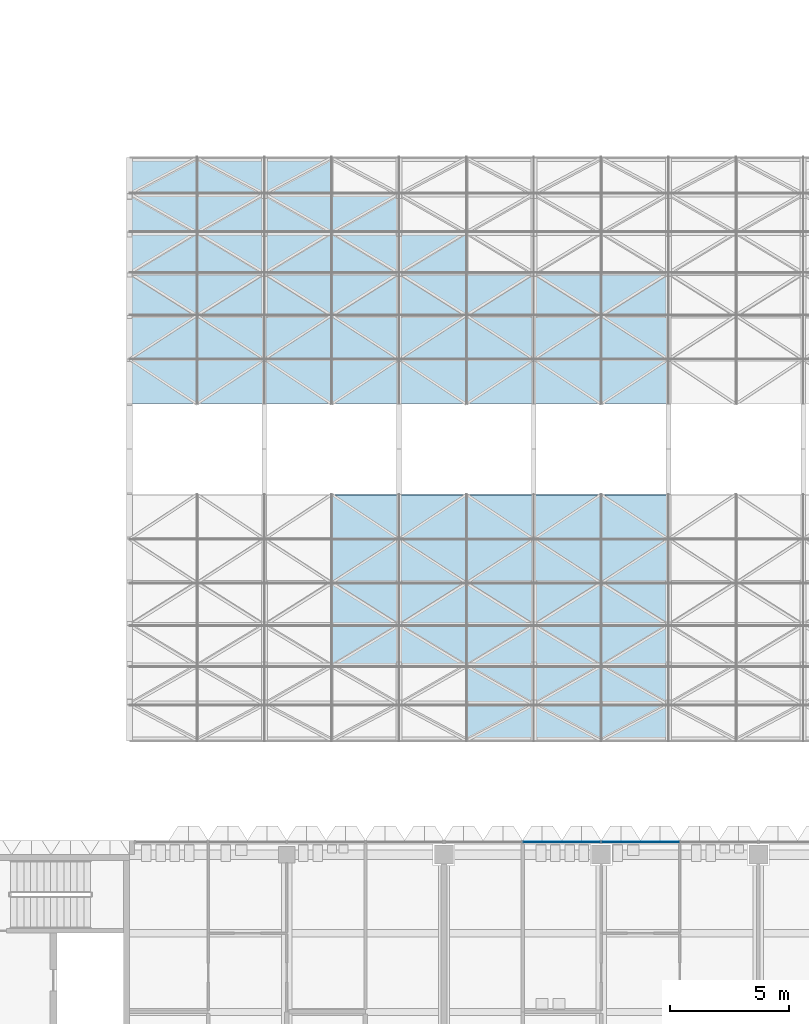
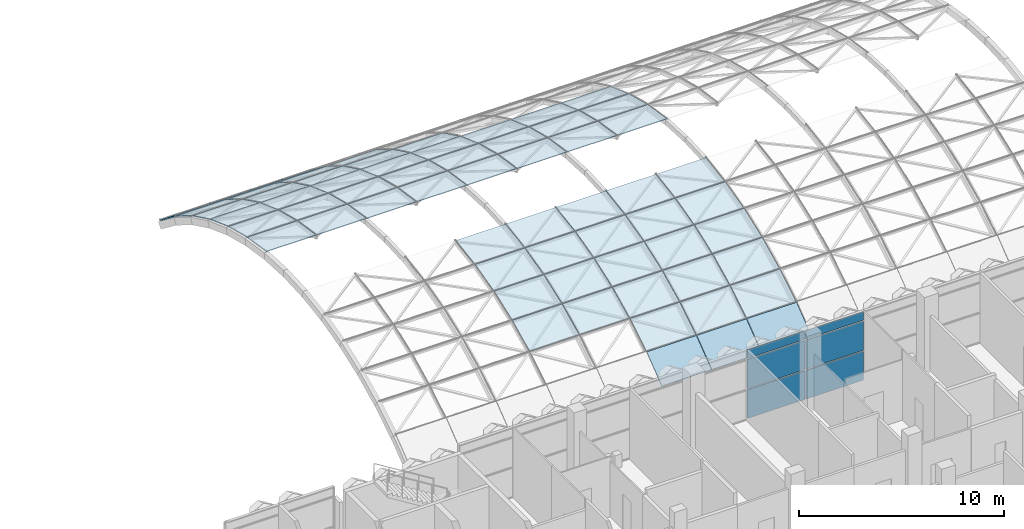
# One storey, part 21 of 85: 68 plates, 1 element without a shape of its own.
"""IFC4 building model written with IfcOpenShell, lengths in metres."""

import ifcopenshell
import ifcopenshell.guid

model = None  # the IFC model being written
_history = None  # IfcOwnerHistory: only IFC2X3 demands one
_inside = {}  # id of a spatial element -> (the spatial element, [elements in it])
_under = {}  # id of a project, library or spatial element -> (it, [spatial elements below it])
_declared = {}  # id of a project -> (the project, [libraries it declares])
_typed = {}  # id of a type object -> (the type object, [elements of that type])
_made_of = {}  # id of a material, layer set ... -> (it, [elements and type objects made of it])


def new_model(schema):
    """Start an empty IFC model of exactly this schema.

    Asked for "IFC4X3", IfcOpenShell would pick the latest addendum, in which some entities
    have other attributes; the version numbers below select the first issue.
    IFC2X3 requires an IfcOwnerHistory on every rooted entity: one is made here for all.
    """
    global model, _history
    if schema == "IFC4X3":
        model = ifcopenshell.file(schema_version=(4, 3, 0, 0))
    else:
        model = ifcopenshell.file(schema=schema)
    _inside.clear()
    _under.clear()
    _declared.clear()
    _typed.clear()
    _made_of.clear()
    _history = None
    if model.schema == "IFC2X3":
        org = make("IfcOrganization", Name="unknown")
        user = make(
            "IfcPersonAndOrganization",
            ThePerson=make("IfcPerson", FamilyName="unknown"),
            TheOrganization=org,
        )
        app = make(
            "IfcApplication",
            ApplicationDeveloper=org,
            Version="unknown",
            ApplicationFullName="unknown",
            ApplicationIdentifier="unknown",
        )
        _history = make(
            "IfcOwnerHistory",
            OwningUser=user,
            OwningApplication=app,
            ChangeAction="ADDED",
            CreationDate=0,
        )
    return model


def make(cls, **values):
    """One entity of the class cls with the attributes given. An attribute that is None is left unset."""
    return model.create_entity(
        cls, **{name: value for name, value in values.items() if value is not None}
    )


def rooted(cls, **values):
    """An entity with a GlobalId (a new one), such as an element, a storey or a relation."""
    return make(cls, GlobalId=ifcopenshell.guid.new(), OwnerHistory=_history, **values)


def si_unit(unit_type, name, prefix=None):
    """IfcSIUnit, for example si_unit("LENGTHUNIT", "METRE", prefix="MILLI")."""
    return make("IfcSIUnit", UnitType=unit_type, Prefix=prefix, Name=name)


def assignment(units):
    """IfcUnitAssignment: the units of a project."""
    return None if units is None else make("IfcUnitAssignment", Units=units)


def point(xyz):
    """IfcCartesianPoint."""
    return None if xyz is None else make("IfcCartesianPoint", Coordinates=xyz)


def direction(xyz):
    """IfcDirection."""
    return None if xyz is None else make("IfcDirection", DirectionRatios=xyz)


def frame(location, z_axis=None, x_axis=None):
    """IfcAxis2Placement3D, a coordinate frame: its origin and axes. An axis left out is left unset."""
    return make(
        "IfcAxis2Placement3D",
        Location=point(location),
        Axis=direction(z_axis),
        RefDirection=direction(x_axis),
    )


def frame_2d(location, x_axis=None):
    """IfcAxis2Placement2D, a coordinate frame in the plane: its origin and x axis."""
    return make(
        "IfcAxis2Placement2D", Location=point(location), RefDirection=direction(x_axis)
    )


def origin():
    """The frame at (0, 0, 0) with its axes left unset."""
    return frame((0.0, 0.0, 0.0))


def origin_2d():
    """The frame at (0, 0) in the plane with its x axis left unset."""
    return frame_2d((0.0, 0.0))


def place(relative_to, where):
    """IfcLocalPlacement: puts the frame where relative to a parent placement (None: the world)."""
    return make(
        "IfcLocalPlacement", PlacementRelTo=relative_to, RelativePlacement=where
    )


def context(
    kind, dimensions, precision=None, world=None, true_north=None, identifier=None
):
    """IfcGeometricRepresentationContext, for example the 3D "Model" context."""
    return make(
        "IfcGeometricRepresentationContext",
        ContextIdentifier=identifier,
        ContextType=kind,
        CoordinateSpaceDimension=dimensions,
        Precision=precision,
        WorldCoordinateSystem=world,
        TrueNorth=true_north,
    )


def subcontext(parent, identifier, kind, view, scale=None):
    """IfcGeometricRepresentationSubContext, for example "Body" below "Model"."""
    return make(
        "IfcGeometricRepresentationSubContext",
        ContextIdentifier=identifier,
        ContextType=kind,
        ParentContext=parent,
        TargetScale=scale,
        TargetView=view,
    )


def project(units=None, contexts=None):
    """IfcProject with its units and contexts."""
    return rooted(
        "IfcProject",
        Name="project",
        RepresentationContexts=contexts,
        UnitsInContext=assignment(units),
    )


def spatial(cls, under=None, at=None, **own):
    """A site, building, storey or space (cls), placed at a placement, below another one or the project."""
    s = rooted(cls, ObjectPlacement=at, **own)
    if under is not None:
        _under.setdefault(under.id(), (under, []))[1].append(s)
    return s


def polyline(points):
    """IfcPolyline through the points."""
    return make("IfcPolyline", Points=[point(p) for p in points])


def profile(cls, at=None, kind="AREA", **sizes):
    """A parametric profile (cls). Its sizes go by their IFC names, for example OverallWidth=200.0."""
    return make(cls, ProfileType=kind, Position=at, **sizes)


def rectangle(**sizes):
    """IfcRectangleProfileDef."""
    return profile("IfcRectangleProfileDef", **sizes)


def outline(outer, holes=None, kind="AREA"):
    """IfcArbitraryClosedProfileDef: a profile drawn as a closed curve; with holes, ...WithVoids."""
    if holes is None:
        return make("IfcArbitraryClosedProfileDef", ProfileType=kind, OuterCurve=outer)
    return make(
        "IfcArbitraryProfileDefWithVoids",
        ProfileType=kind,
        OuterCurve=outer,
        InnerCurves=holes,
    )


def extrude(swept, where, along, depth):
    """IfcExtrudedAreaSolid: the profile swept, set in the frame where, extruded along a direction by depth."""
    return make(
        "IfcExtrudedAreaSolid",
        SweptArea=swept,
        Position=where,
        ExtrudedDirection=direction(along),
        Depth=depth,
    )


def shape(context_of_items, identifier, shape_type, items):
    """IfcShapeRepresentation: the items that make up one representation, for example the "Body"."""
    return make(
        "IfcShapeRepresentation",
        ContextOfItems=context_of_items,
        RepresentationIdentifier=identifier,
        RepresentationType=shape_type,
        Items=items,
    )


def material(Name=None, Category=None):
    """IfcMaterial."""
    return make("IfcMaterial", Name=Name, Category=Category)


def layer(
    of_material, thickness, ventilated=None, Name=None, Category=None, Priority=None
):
    """IfcMaterialLayer: one layer of a wall or slab, of a material (None: an air gap)."""
    return make(
        "IfcMaterialLayer",
        Material=of_material,
        LayerThickness=thickness,
        IsVentilated=ventilated,
        Name=Name,
        Category=Category,
        Priority=Priority,
    )


def layer_set(layers, Name=None):
    """IfcMaterialLayerSet."""
    return make("IfcMaterialLayerSet", MaterialLayers=layers, LayerSetName=Name)


def made_of(thing, what):
    """Note that an element or type object is made of a material, layer set ...; save() writes the relation."""
    if what is not None:
        _made_of.setdefault(what.id(), (what, []))[1].append(thing)
    return thing


def type_object(cls, material=None, **own):
    """A type object (cls), such as IfcWallType, which elements share."""
    return made_of(rooted(cls, **own), material)


def element(
    cls,
    number,
    at=None,
    inside=None,
    cuts=None,
    type_object=None,
    material=None,
    context=None,
    identifier="Body",
    shape_type=None,
    held_by="IfcProductDefinitionShape",
    body=None,
    shapes=None,
    **own,
):
    """One element of the class cls, such as IfcWall. Its Tag is "e" and its number.

    at: its placement. inside: the storey or other place that contains it. cuts: it is an
    opening in that element (IfcRelVoidsElement). A single representation is given by context,
    identifier, shape_type and body (its items); several are given by shapes. held_by: the class
    of the entity that holds the representations. save() writes the other relations.
    """
    e = rooted(cls, Tag="e%d" % number, ObjectPlacement=at, **own)
    if body is not None:
        shapes = [shape(context, identifier, shape_type, body)]
    if shapes is not None:
        e.Representation = make(held_by, Representations=shapes)
    if inside is not None:
        _inside.setdefault(inside.id(), (inside, []))[1].append(e)
    if cuts is not None:
        rooted(
            "IfcRelVoidsElement", RelatingBuildingElement=cuts, RelatedOpeningElement=e
        )
    if type_object is not None:
        _typed.setdefault(type_object.id(), (type_object, []))[1].append(e)
    return made_of(e, material)


def aggregate(whole, parts):
    """IfcRelAggregates: a whole, such as a stair, and the parts it consists of."""
    return rooted("IfcRelAggregates", RelatingObject=whole, RelatedObjects=parts)


def save(model, path):
    """Write the relations noted so far, then the file.

    IfcRelAggregates (storeys below a building ...), IfcRelContainedInSpatialStructure (elements
    in a storey), IfcRelDefinesByType, IfcRelAssociatesMaterial and IfcRelDeclares: one each for
    every whole, place, type object, material and project.
    """
    for whole, parts in _under.values():
        aggregate(whole, parts)
    for where, things in _inside.values():
        rooted(
            "IfcRelContainedInSpatialStructure",
            RelatedElements=things,
            RelatingStructure=where,
        )
    for kind, things in _typed.values():
        rooted("IfcRelDefinesByType", RelatedObjects=things, RelatingType=kind)
    for what, things in _made_of.values():
        rooted("IfcRelAssociatesMaterial", RelatedObjects=things, RelatingMaterial=what)
    for by, libraries in _declared.values():
        rooted("IfcRelDeclares", RelatingContext=by, RelatedDefinitions=libraries)
    model.write(path)


model = new_model("IFC4")

# Units and contexts
model_context = context("Model", 3, precision=1e-05, world=origin(), true_north=direction((0.0, 1.0)))
body_context = subcontext(model_context, "Body", "Model", "MODEL_VIEW")
ifc_project = project(units=[si_unit("LENGTHUNIT", "METRE"), si_unit("AREAUNIT", "SQUARE_METRE"), si_unit("VOLUMEUNIT", "CUBIC_METRE"), si_unit("PLANEANGLEUNIT", "RADIAN"), si_unit("MASSUNIT", "GRAM", prefix="KILO")], contexts=[model_context])

# Site, building, storey
site_placement = place(None, origin())
site = spatial("IfcSite", under=ifc_project, at=site_placement, CompositionType="ELEMENT")
building_placement = place(site_placement, origin())
building = spatial("IfcBuilding", under=site, at=building_placement, Name="Lantern Court Research Institute", CompositionType="ELEMENT")
storey_placement = place(building_placement, frame((0.0, 0.0, 18.89990234375)))
storey = spatial("IfcBuildingStorey", under=building, at=storey_placement, Name="L04", CompositionType="ELEMENT", Elevation=18.89990234375)

# Plates
ifc_material_1 = material(Name="Laminated low-emissivity glass", Category="glass")
ifc_layer_1 = layer(ifc_material_1, 0.035888671875)
ifc_layer_set_1 = layer_set([ifc_layer_1], Name="Laminated low-emissivity glass")
plate_type_1 = type_object("IfcPlateType", Name="Gridshell roof glazing panel 36", PredefinedType="SHEET", material=ifc_layer_set_1)
plate_1_placement = place(storey_placement, frame((42.41845703125, 42.04052734375, 4.638427734375), z_axis=(0.0, 0.150477827795, 0.988613384161), x_axis=(-1.0, 0.0, 0.0)))
element("IfcPlate", 1, at=plate_1_placement, inside=storey, type_object=plate_type_1, Name="Roof glazing panel", PredefinedType="SHEET", context=body_context, shape_type="SweptSolid", body=[
    extrude(outline(polyline([(0.0, 0.0), (2.808349609375, 0.0), (2.808349609375, -1.8820256056964206), (0.0, -1.8820256056964206), (0.0, 0.0)])), origin(), (0.0, 0.0, -1.0), 0.035888671875),
])
plate_2_placement = place(storey_placement, frame((42.41845703125, 43.9248046875, 4.350341796875), z_axis=(0.0, 0.249093192145, 0.9684795205), x_axis=(-1.0, 0.0, 0.0)))
element("IfcPlate", 2, at=plate_2_placement, inside=storey, type_object=plate_type_1, Name="Roof glazing panel", PredefinedType="SHEET", context=body_context, shape_type="SweptSolid", body=[
    extrude(outline(polyline([(0.0, 0.0), (2.808349609375, 0.0), (2.808349609375, -1.881825817736193), (0.0, -1.881825817736193), (0.0, 0.0)])), origin(), (0.0, 0.0, -1.0), 0.035888671875),
])
plate_3_placement = place(storey_placement, frame((45.2470703125, 42.04052734375, 4.638427734375), z_axis=(0.0, 0.150477827795, 0.988613384161), x_axis=(-1.0, 0.0, 0.0)))
element("IfcPlate", 3, at=plate_3_placement, inside=storey, type_object=plate_type_1, Name="Roof glazing panel", PredefinedType="SHEET", context=body_context, shape_type="SweptSolid", body=[
    extrude(outline(polyline([(0.0, 0.0), (2.80859375, 0.0), (2.80859375, -1.8820256056964204), (0.0, -1.8820256056964204), (0.0, 0.0)])), origin(), (0.0, 0.0, -1.0), 0.035888671875),
])
plate_4_placement = place(storey_placement, frame((45.2470703125, 43.9248046875, 4.350341796875), z_axis=(0.0, 0.249093192145, 0.9684795205), x_axis=(-1.0, 0.0, 0.0)))
element("IfcPlate", 4, at=plate_4_placement, inside=storey, type_object=plate_type_1, Name="Roof glazing panel", PredefinedType="SHEET", context=body_context, shape_type="SweptSolid", body=[
    extrude(outline(polyline([(0.0, 0.0), (2.80859375, 0.0), (2.80859375, -1.8818258177361935), (0.0, -1.8818258177361935), (0.0, 0.0)])), origin(), (0.0, 0.0, -1.0), 0.035888671875),
])
plate_5_placement = place(storey_placement, frame((48.07568359375, 42.04052734375, 4.638427734375), z_axis=(0.0, 0.150477827795, 0.988613384161), x_axis=(-1.0, 0.0, 0.0)))
element("IfcPlate", 5, at=plate_5_placement, inside=storey, type_object=plate_type_1, Name="Roof glazing panel", PredefinedType="SHEET", context=body_context, shape_type="SweptSolid", body=[
    extrude(outline(polyline([(0.0, 0.0), (2.80859375, 0.0), (2.80859375, -1.8820256056964204), (0.0, -1.8820256056964204), (0.0, 0.0)])), origin(), (0.0, 0.0, -1.0), 0.035888671875),
])
for number, where, z_axis, x_axis, name in (
    (6, (48.07568359375, 43.9248046875, 4.350341796875), (0.0, 0.249093192145, 0.9684795205), (-1.0, 0.0, 0.0), "Roof glazing panel"),
    (7, (50.904296875, 34.502685546875, 3.881591796875), (0.0, -0.249093192145, 0.9684795205), (-1.0, 0.0, 0.0), "Roof glazing panel"),
):
    element("IfcPlate", number, at=place(storey_placement, frame(where, z_axis=z_axis, x_axis=x_axis)), inside=storey, type_object=plate_type_1, Name=name, PredefinedType="SHEET", context=body_context, shape_type="SweptSolid", body=[
        extrude(outline(polyline([(0.0, 0.0), (2.80859375, 0.0), (2.80859375, -1.8818258177361935), (0.0, -1.8818258177361935), (0.0, 0.0)])), origin(), (0.0, 0.0, -1.0), 0.035888671875),
    ])
for number, where, z_axis, x_axis, name in (
    (8, (50.904296875, 36.348876953125, 4.355224609375), (0.0, -0.150477827795, 0.988613384161), (-1.0, 0.0, 0.0), "Roof glazing panel"),
    (9, (50.904296875, 42.04052734375, 4.638427734375), (0.0, 0.150477827795, 0.988613384161), (-1.0, 0.0, 0.0), "Roof glazing panel"),
):
    element("IfcPlate", number, at=place(storey_placement, frame(where, z_axis=z_axis, x_axis=x_axis)), inside=storey, type_object=plate_type_1, Name=name, PredefinedType="SHEET", context=body_context, shape_type="SweptSolid", body=[
        extrude(outline(polyline([(0.0, 0.0), (2.80859375, 0.0), (2.80859375, -1.8820256056964204), (0.0, -1.8820256056964204), (0.0, 0.0)])), origin(), (0.0, 0.0, -1.0), 0.035888671875),
    ])
for number, where, z_axis, x_axis, name in (
    (10, (50.904296875, 43.9248046875, 4.350341796875), (0.0, 0.249093192145, 0.9684795205), (-1.0, 0.0, 0.0), "Roof glazing panel"),
    (11, (53.73291015625, 34.502685546875, 3.881591796875), (0.0, -0.249093192145, 0.9684795205), (-1.0, 0.0, 0.0), "Roof glazing panel"),
):
    element("IfcPlate", number, at=place(storey_placement, frame(where, z_axis=z_axis, x_axis=x_axis)), inside=storey, type_object=plate_type_1, Name=name, PredefinedType="SHEET", context=body_context, shape_type="SweptSolid", body=[
        extrude(outline(polyline([(0.0, 0.0), (2.80859375, 0.0), (2.80859375, -1.8818258177361935), (0.0, -1.8818258177361935), (0.0, 0.0)])), origin(), (0.0, 0.0, -1.0), 0.035888671875),
    ])
for number, where, z_axis, x_axis, name in (
    (12, (53.73291015625, 36.348876953125, 4.355224609375), (0.0, -0.150477827795, 0.988613384161), (-1.0, 0.0, 0.0), "Roof glazing panel"),
    (13, (53.73291015625, 42.04052734375, 4.638427734375), (0.0, 0.150477827795, 0.988613384161), (-1.0, 0.0, 0.0), "Roof glazing panel"),
):
    element("IfcPlate", number, at=place(storey_placement, frame(where, z_axis=z_axis, x_axis=x_axis)), inside=storey, type_object=plate_type_1, Name=name, PredefinedType="SHEET", context=body_context, shape_type="SweptSolid", body=[
        extrude(outline(polyline([(0.0, 0.0), (2.80859375, 0.0), (2.80859375, -1.8820256056964204), (0.0, -1.8820256056964204), (0.0, 0.0)])), origin(), (0.0, 0.0, -1.0), 0.035888671875),
    ])
for number, where, z_axis, x_axis, name in (
    (14, (53.73291015625, 43.9248046875, 4.350341796875), (0.0, 0.249093192145, 0.9684795205), (-1.0, 0.0, 0.0), "Roof glazing panel"),
    (15, (56.5615234375, 34.502685546875, 3.881591796875), (0.0, -0.249093192145, 0.9684795205), (-1.0, 0.0, 0.0), "Roof glazing panel"),
):
    element("IfcPlate", number, at=place(storey_placement, frame(where, z_axis=z_axis, x_axis=x_axis)), inside=storey, type_object=plate_type_1, Name=name, PredefinedType="SHEET", context=body_context, shape_type="SweptSolid", body=[
        extrude(outline(polyline([(0.0, 0.0), (2.80859375, 0.0), (2.80859375, -1.8818258177361935), (0.0, -1.8818258177361935), (0.0, 0.0)])), origin(), (0.0, 0.0, -1.0), 0.035888671875),
    ])
for number, where, z_axis, x_axis, name in (
    (16, (56.5615234375, 36.348876953125, 4.355224609375), (0.0, -0.150477827795, 0.988613384161), (-1.0, 0.0, 0.0), "Roof glazing panel"),
    (17, (56.5615234375, 42.04052734375, 4.638427734375), (0.0, 0.150477827795, 0.988613384161), (-1.0, 0.0, 0.0), "Roof glazing panel"),
):
    element("IfcPlate", number, at=place(storey_placement, frame(where, z_axis=z_axis, x_axis=x_axis)), inside=storey, type_object=plate_type_1, Name=name, PredefinedType="SHEET", context=body_context, shape_type="SweptSolid", body=[
        extrude(outline(polyline([(0.0, 0.0), (2.80859375, 0.0), (2.80859375, -1.8820256056964204), (0.0, -1.8820256056964204), (0.0, 0.0)])), origin(), (0.0, 0.0, -1.0), 0.035888671875),
    ])
plate_6_placement = place(storey_placement, frame((56.5615234375, 43.9248046875, 4.350341796875), z_axis=(0.0, 0.249093192145, 0.9684795205), x_axis=(-1.0, 0.0, 0.0)))
element("IfcPlate", 18, at=plate_6_placement, inside=storey, type_object=plate_type_1, Name="Roof glazing panel", PredefinedType="SHEET", context=body_context, shape_type="SweptSolid", body=[
    extrude(outline(polyline([(0.0, 0.0), (2.80859375, 0.0), (2.80859375, -1.8818258177361935), (0.0, -1.8818258177361935), (0.0, 0.0)])), origin(), (0.0, 0.0, -1.0), 0.035888671875),
])
plate_7_placement = place(storey_placement, frame((59.389892578125, 34.502685546875, 3.881591796875), z_axis=(0.0, -0.249093192145, 0.9684795205), x_axis=(-1.0, 0.0, 0.0)))
element("IfcPlate", 19, at=plate_7_placement, inside=storey, type_object=plate_type_1, Name="Roof glazing panel", PredefinedType="SHEET", context=body_context, shape_type="SweptSolid", body=[
    extrude(outline(polyline([(0.0, 0.0), (2.808349609375, 0.0), (2.808349609375, -1.881825817736193), (0.0, -1.881825817736193), (0.0, 0.0)])), origin(), (0.0, 0.0, -1.0), 0.035888671875),
])
for number, where, z_axis, x_axis, name in (
    (20, (59.389892578125, 36.348876953125, 4.355224609375), (0.0, -0.150477827795, 0.988613384161), (-1.0, 0.0, 0.0), "Roof glazing panel"),
    (21, (59.389892578125, 42.04052734375, 4.638427734375), (0.0, 0.150477827795, 0.988613384161), (-1.0, 0.0, 0.0), "Roof glazing panel"),
):
    element("IfcPlate", number, at=place(storey_placement, frame(where, z_axis=z_axis, x_axis=x_axis)), inside=storey, type_object=plate_type_1, Name=name, PredefinedType="SHEET", context=body_context, shape_type="SweptSolid", body=[
        extrude(outline(polyline([(0.0, 0.0), (2.808349609375, 0.0), (2.808349609375, -1.8820256056964206), (0.0, -1.8820256056964206), (0.0, 0.0)])), origin(), (0.0, 0.0, -1.0), 0.035888671875),
    ])
plate_8_placement = place(storey_placement, frame((59.389892578125, 43.9248046875, 4.350341796875), z_axis=(0.0, 0.249093192145, 0.9684795205), x_axis=(-1.0, 0.0, 0.0)))
element("IfcPlate", 22, at=plate_8_placement, inside=storey, type_object=plate_type_1, Name="Roof glazing panel", PredefinedType="SHEET", context=body_context, shape_type="SweptSolid", body=[
    extrude(outline(polyline([(0.0, 0.0), (2.808349609375, 0.0), (2.808349609375, -1.881825817736193), (0.0, -1.881825817736193), (0.0, 0.0)])), origin(), (0.0, 0.0, -1.0), 0.035888671875),
])
plate_9_placement = place(storey_placement, frame((62.218505859375, 34.502685546875, 3.881591796875), z_axis=(0.0, -0.249093192145, 0.9684795205), x_axis=(-1.0, 0.0, 0.0)))
element("IfcPlate", 23, at=plate_9_placement, inside=storey, type_object=plate_type_1, Name="Roof glazing panel", PredefinedType="SHEET", context=body_context, shape_type="SweptSolid", body=[
    extrude(outline(polyline([(0.0, 0.0), (2.80859375, 0.0), (2.80859375, -1.8818258177361935), (0.0, -1.8818258177361935), (0.0, 0.0)])), origin(), (0.0, 0.0, -1.0), 0.035888671875),
])
for number, where, z_axis, x_axis, name in (
    (24, (62.218505859375, 36.348876953125, 4.355224609375), (0.0, -0.150477827795, 0.988613384161), (-1.0, 0.0, 0.0), "Roof glazing panel"),
    (25, (62.218505859375, 42.04052734375, 4.638427734375), (0.0, 0.150477827795, 0.988613384161), (-1.0, 0.0, 0.0), "Roof glazing panel"),
):
    element("IfcPlate", number, at=place(storey_placement, frame(where, z_axis=z_axis, x_axis=x_axis)), inside=storey, type_object=plate_type_1, Name=name, PredefinedType="SHEET", context=body_context, shape_type="SweptSolid", body=[
        extrude(outline(polyline([(0.0, 0.0), (2.80859375, 0.0), (2.80859375, -1.8820256056964204), (0.0, -1.8820256056964204), (0.0, 0.0)])), origin(), (0.0, 0.0, -1.0), 0.035888671875),
    ])
plate_10_placement = place(storey_placement, frame((62.218505859375, 43.9248046875, 4.350341796875), z_axis=(0.0, 0.249093192145, 0.9684795205), x_axis=(-1.0, 0.0, 0.0)))
element("IfcPlate", 26, at=plate_10_placement, inside=storey, type_object=plate_type_1, Name="Roof glazing panel", PredefinedType="SHEET", context=body_context, shape_type="SweptSolid", body=[
    extrude(outline(polyline([(0.0, 0.0), (2.80859375, 0.0), (2.80859375, -1.8818258177361935), (0.0, -1.8818258177361935), (0.0, 0.0)])), origin(), (0.0, 0.0, -1.0), 0.035888671875),
])
ifc_material_2 = material(Name="Laminated low-emissivity glass", Category="glass")
ifc_layer_2 = layer(ifc_material_2, 0.0439453125)
ifc_layer_set_2 = layer_set([ifc_layer_2], Name="Laminated low-emissivity glass")
plate_type_2 = type_object("IfcPlateType", Name="Gridshell roof glazing panel 44", PredefinedType="SHEET", material=ifc_layer_set_2)
plate_11_placement = place(storey_placement, frame((42.41845703125, 45.7734375, 3.8818359375), z_axis=(0.0, 0.345200137795, 0.938529096441), x_axis=(-1.0, 0.0, 0.0)))
element("IfcPlate", 27, at=plate_11_placement, inside=storey, type_object=plate_type_2, Name="Roof glazing panel", PredefinedType="SHEET", context=body_context, shape_type="SweptSolid", body=[
    extrude(outline(polyline([(0.0, 0.0), (2.808349609375, 0.0), (2.808349609375, -1.8812682597646073), (0.0, -1.8812682597646073), (0.0, 0.0)])), origin(), (0.0, 0.0, -1.0), 0.0439453125),
])
plate_12_placement = place(storey_placement, frame((42.41845703125, 47.56298828125, 3.22216796875), z_axis=(0.0, 0.437840262828, 0.89905278168), x_axis=(-1.0, 0.0, 0.0)))
element("IfcPlate", 28, at=plate_12_placement, inside=storey, type_object=plate_type_2, Name="Roof glazing panel", PredefinedType="SHEET", context=body_context, shape_type="SweptSolid", body=[
    extrude(outline(polyline([(0.0, 0.0), (2.808349609375, 0.0), (2.808349609375, -1.8802340885275781), (0.0, -1.8802340885275781), (0.0, 0.0)])), origin(), (0.0, 0.0, -1.0), 0.0439453125),
])
plate_13_placement = place(storey_placement, frame((42.41845703125, 49.27734375, 2.3857421875), z_axis=(0.0, 0.525951989181, 0.850514259185), x_axis=(-1.0, 0.0, 0.0)))
element("IfcPlate", 29, at=plate_13_placement, inside=storey, type_object=plate_type_2, Name="Roof glazing panel", PredefinedType="SHEET", context=body_context, shape_type="SweptSolid", body=[
    extrude(outline(polyline([(0.0, 0.0), (2.808349609375, 0.0), (2.808349609375, -1.8790332013740056), (0.0, -1.8790332013740056), (0.0, 0.0)])), origin(), (0.0, 0.0, -1.0), 0.0439453125),
])
plate_14_placement = place(storey_placement, frame((42.41845703125, 50.89892578125, 1.381103515625), z_axis=(0.0, 0.60878642587, 0.793334158899), x_axis=(-1.0, 0.0, 0.0)))
element("IfcPlate", 30, at=plate_14_placement, inside=storey, type_object=plate_type_2, Name="Roof glazing panel", PredefinedType="SHEET", context=body_context, shape_type="SweptSolid", body=[
    extrude(outline(polyline([(0.0, 0.0), (2.808349609375, 0.0), (2.808349609375, -1.8772137765583714), (0.0, -1.8772137765583714), (0.0, 0.0)])), origin(), (0.0, 0.0, -1.0), 0.0439453125),
])
plate_15_placement = place(storey_placement, frame((45.2470703125, 45.7734375, 3.8818359375), z_axis=(0.0, 0.345200137795, 0.938529096441), x_axis=(-1.0, 0.0, 0.0)))
element("IfcPlate", 31, at=plate_15_placement, inside=storey, type_object=plate_type_2, Name="Roof glazing panel", PredefinedType="SHEET", context=body_context, shape_type="SweptSolid", body=[
    extrude(outline(polyline([(0.0, 0.0), (2.80859375, 0.0), (2.80859375, -1.8812682597646073), (0.0, -1.8812682597646073), (0.0, 0.0)])), origin(), (0.0, 0.0, -1.0), 0.0439453125),
])
plate_16_placement = place(storey_placement, frame((45.2470703125, 47.56298828125, 3.22216796875), z_axis=(0.0, 0.437840262828, 0.89905278168), x_axis=(-1.0, 0.0, 0.0)))
element("IfcPlate", 32, at=plate_16_placement, inside=storey, type_object=plate_type_2, Name="Roof glazing panel", PredefinedType="SHEET", context=body_context, shape_type="SweptSolid", body=[
    extrude(outline(polyline([(0.0, 0.0), (2.80859375, 0.0), (2.80859375, -1.8802340885275783), (0.0, -1.8802340885275783), (0.0, 0.0)])), origin(), (0.0, 0.0, -1.0), 0.0439453125),
])
plate_17_placement = place(storey_placement, frame((45.2470703125, 49.27734375, 2.3857421875), z_axis=(0.0, 0.525951989181, 0.850514259185), x_axis=(-1.0, 0.0, 0.0)))
element("IfcPlate", 33, at=plate_17_placement, inside=storey, type_object=plate_type_2, Name="Roof glazing panel", PredefinedType="SHEET", context=body_context, shape_type="SweptSolid", body=[
    extrude(outline(polyline([(0.0, 0.0), (2.80859375, 0.0), (2.80859375, -1.8790332013740056), (0.0, -1.8790332013740056), (0.0, 0.0)])), origin(), (0.0, 0.0, -1.0), 0.0439453125),
])
plate_18_placement = place(storey_placement, frame((45.2470703125, 50.89892578125, 1.381103515625), z_axis=(0.0, 0.60878642587, 0.793334158899), x_axis=(-1.0, 0.0, 0.0)))
element("IfcPlate", 34, at=plate_18_placement, inside=storey, type_object=plate_type_2, Name="Roof glazing panel", PredefinedType="SHEET", context=body_context, shape_type="SweptSolid", body=[
    extrude(outline(polyline([(0.0, 0.0), (2.80859375, 0.0), (2.80859375, -1.8772137765583714), (0.0, -1.8772137765583714), (0.0, 0.0)])), origin(), (0.0, 0.0, -1.0), 0.0439453125),
])
plate_19_placement = place(storey_placement, frame((48.07568359375, 45.7734375, 3.8818359375), z_axis=(0.0, 0.345200137795, 0.938529096441), x_axis=(-1.0, 0.0, 0.0)))
element("IfcPlate", 35, at=plate_19_placement, inside=storey, type_object=plate_type_2, Name="Roof glazing panel", PredefinedType="SHEET", context=body_context, shape_type="SweptSolid", body=[
    extrude(outline(polyline([(0.0, 0.0), (2.80859375, 0.0), (2.80859375, -1.8812682597646073), (0.0, -1.8812682597646073), (0.0, 0.0)])), origin(), (0.0, 0.0, -1.0), 0.0439453125),
])
plate_20_placement = place(storey_placement, frame((48.07568359375, 47.56298828125, 3.22216796875), z_axis=(0.0, 0.437840262828, 0.89905278168), x_axis=(-1.0, 0.0, 0.0)))
element("IfcPlate", 36, at=plate_20_placement, inside=storey, type_object=plate_type_2, Name="Roof glazing panel", PredefinedType="SHEET", context=body_context, shape_type="SweptSolid", body=[
    extrude(outline(polyline([(0.0, 0.0), (2.80859375, 0.0), (2.80859375, -1.8802340885275783), (0.0, -1.8802340885275783), (0.0, 0.0)])), origin(), (0.0, 0.0, -1.0), 0.0439453125),
])
plate_21_placement = place(storey_placement, frame((48.07568359375, 49.27734375, 2.3857421875), z_axis=(0.0, 0.525951989181, 0.850514259185), x_axis=(-1.0, 0.0, 0.0)))
element("IfcPlate", 37, at=plate_21_placement, inside=storey, type_object=plate_type_2, Name="Roof glazing panel", PredefinedType="SHEET", context=body_context, shape_type="SweptSolid", body=[
    extrude(outline(polyline([(0.0, 0.0), (2.80859375, 0.0), (2.80859375, -1.8790332013740056), (0.0, -1.8790332013740056), (0.0, 0.0)])), origin(), (0.0, 0.0, -1.0), 0.0439453125),
])
plate_22_placement = place(storey_placement, frame((48.07568359375, 50.89892578125, 1.381103515625), z_axis=(0.0, 0.60878642587, 0.793334158899), x_axis=(-1.0, 0.0, 0.0)))
element("IfcPlate", 38, at=plate_22_placement, inside=storey, type_object=plate_type_2, Name="Roof glazing panel", PredefinedType="SHEET", context=body_context, shape_type="SweptSolid", body=[
    extrude(outline(polyline([(0.0, 0.0), (2.80859375, 0.0), (2.80859375, -1.8772137765583714), (0.0, -1.8772137765583714), (0.0, 0.0)])), origin(), (0.0, 0.0, -1.0), 0.0439453125),
])
plate_23_placement = place(storey_placement, frame((50.904296875, 30.99658203125, 2.39892578125), z_axis=(0.0, -0.437840262828, 0.89905278168), x_axis=(-1.0, 0.0, 0.0)))
element("IfcPlate", 39, at=plate_23_placement, inside=storey, type_object=plate_type_2, Name="Roof glazing panel", PredefinedType="SHEET", context=body_context, shape_type="SweptSolid", body=[
    extrude(outline(polyline([(0.0, 0.0), (2.80859375, 0.0), (2.80859375, -1.8802340885275783), (0.0, -1.8802340885275783), (0.0, 0.0)])), origin(), (0.0, 0.0, -1.0), 0.0439453125),
])
for number, where, z_axis, x_axis, name in (
    (40, (50.904296875, 32.7109375, 3.232421875), (0.0, -0.345200137795, 0.938529096441), (-1.0, 0.0, 0.0), "Roof glazing panel"),
    (41, (50.904296875, 45.7734375, 3.8818359375), (0.0, 0.345200137795, 0.938529096441), (-1.0, 0.0, 0.0), "Roof glazing panel"),
):
    element("IfcPlate", number, at=place(storey_placement, frame(where, z_axis=z_axis, x_axis=x_axis)), inside=storey, type_object=plate_type_2, Name=name, PredefinedType="SHEET", context=body_context, shape_type="SweptSolid", body=[
        extrude(outline(polyline([(0.0, 0.0), (2.80859375, 0.0), (2.80859375, -1.8812682597646073), (0.0, -1.8812682597646073), (0.0, 0.0)])), origin(), (0.0, 0.0, -1.0), 0.0439453125),
    ])
plate_24_placement = place(storey_placement, frame((50.904296875, 47.56298828125, 3.22216796875), z_axis=(0.0, 0.437840262828, 0.89905278168), x_axis=(-1.0, 0.0, 0.0)))
element("IfcPlate", 42, at=plate_24_placement, inside=storey, type_object=plate_type_2, Name="Roof glazing panel", PredefinedType="SHEET", context=body_context, shape_type="SweptSolid", body=[
    extrude(outline(polyline([(0.0, 0.0), (2.80859375, 0.0), (2.80859375, -1.8802340885275783), (0.0, -1.8802340885275783), (0.0, 0.0)])), origin(), (0.0, 0.0, -1.0), 0.0439453125),
])
plate_25_placement = place(storey_placement, frame((50.904296875, 49.27734375, 2.3857421875), z_axis=(0.0, 0.525951989181, 0.850514259185), x_axis=(-1.0, 0.0, 0.0)))
element("IfcPlate", 43, at=plate_25_placement, inside=storey, type_object=plate_type_2, Name="Roof glazing panel", PredefinedType="SHEET", context=body_context, shape_type="SweptSolid", body=[
    extrude(outline(polyline([(0.0, 0.0), (2.80859375, 0.0), (2.80859375, -1.8790332013740056), (0.0, -1.8790332013740056), (0.0, 0.0)])), origin(), (0.0, 0.0, -1.0), 0.0439453125),
])
plate_26_placement = place(storey_placement, frame((53.73291015625, 30.99658203125, 2.39892578125), z_axis=(0.0, -0.437840262828, 0.89905278168), x_axis=(-1.0, 0.0, 0.0)))
element("IfcPlate", 44, at=plate_26_placement, inside=storey, type_object=plate_type_2, Name="Roof glazing panel", PredefinedType="SHEET", context=body_context, shape_type="SweptSolid", body=[
    extrude(outline(polyline([(0.0, 0.0), (2.80859375, 0.0), (2.80859375, -1.8802340885275783), (0.0, -1.8802340885275783), (0.0, 0.0)])), origin(), (0.0, 0.0, -1.0), 0.0439453125),
])
for number, where, z_axis, x_axis, name in (
    (45, (53.73291015625, 32.7109375, 3.232421875), (0.0, -0.345200137795, 0.938529096441), (-1.0, 0.0, 0.0), "Roof glazing panel"),
    (46, (53.73291015625, 45.7734375, 3.8818359375), (0.0, 0.345200137795, 0.938529096441), (-1.0, 0.0, 0.0), "Roof glazing panel"),
):
    element("IfcPlate", number, at=place(storey_placement, frame(where, z_axis=z_axis, x_axis=x_axis)), inside=storey, type_object=plate_type_2, Name=name, PredefinedType="SHEET", context=body_context, shape_type="SweptSolid", body=[
        extrude(outline(polyline([(0.0, 0.0), (2.80859375, 0.0), (2.80859375, -1.8812682597646073), (0.0, -1.8812682597646073), (0.0, 0.0)])), origin(), (0.0, 0.0, -1.0), 0.0439453125),
    ])
plate_27_placement = place(storey_placement, frame((53.73291015625, 47.56298828125, 3.22216796875), z_axis=(0.0, 0.437840262828, 0.89905278168), x_axis=(-1.0, 0.0, 0.0)))
element("IfcPlate", 47, at=plate_27_placement, inside=storey, type_object=plate_type_2, Name="Roof glazing panel", PredefinedType="SHEET", context=body_context, shape_type="SweptSolid", body=[
    extrude(outline(polyline([(0.0, 0.0), (2.80859375, 0.0), (2.80859375, -1.8802340885275783), (0.0, -1.8802340885275783), (0.0, 0.0)])), origin(), (0.0, 0.0, -1.0), 0.0439453125),
])
plate_28_placement = place(storey_placement, frame((56.5615234375, 27.86181640625, 0.23828125), z_axis=(0.0, -0.60878642587, 0.793334158899), x_axis=(-1.0, 0.0, 0.0)))
element("IfcPlate", 48, at=plate_28_placement, inside=storey, type_object=plate_type_2, Name="Roof glazing panel", PredefinedType="SHEET", context=body_context, shape_type="SweptSolid", body=[
    extrude(outline(polyline([(0.0, 0.0), (2.80859375, 0.0), (2.80859375, -1.8772137765583714), (0.0, -1.8772137765583714), (0.0, 0.0)])), origin(), (0.0, 0.0, -1.0), 0.0439453125),
])
plate_29_placement = place(storey_placement, frame((56.5615234375, 29.37451171875, 1.3974609375), z_axis=(0.0, -0.525951989181, 0.850514259185), x_axis=(-1.0, 0.0, 0.0)))
element("IfcPlate", 49, at=plate_29_placement, inside=storey, type_object=plate_type_2, Name="Roof glazing panel", PredefinedType="SHEET", context=body_context, shape_type="SweptSolid", body=[
    extrude(outline(polyline([(0.0, 0.0), (2.80859375, 0.0), (2.80859375, -1.8790332013740056), (0.0, -1.8790332013740056), (0.0, 0.0)])), origin(), (0.0, 0.0, -1.0), 0.0439453125),
])
plate_30_placement = place(storey_placement, frame((56.5615234375, 30.99658203125, 2.39892578125), z_axis=(0.0, -0.437840262828, 0.89905278168), x_axis=(-1.0, 0.0, 0.0)))
element("IfcPlate", 50, at=plate_30_placement, inside=storey, type_object=plate_type_2, Name="Roof glazing panel", PredefinedType="SHEET", context=body_context, shape_type="SweptSolid", body=[
    extrude(outline(polyline([(0.0, 0.0), (2.80859375, 0.0), (2.80859375, -1.8802340885275783), (0.0, -1.8802340885275783), (0.0, 0.0)])), origin(), (0.0, 0.0, -1.0), 0.0439453125),
])
for number, where, z_axis, x_axis, name in (
    (51, (56.5615234375, 32.7109375, 3.232421875), (0.0, -0.345200137795, 0.938529096441), (-1.0, 0.0, 0.0), "Roof glazing panel"),
    (52, (56.5615234375, 45.7734375, 3.8818359375), (0.0, 0.345200137795, 0.938529096441), (-1.0, 0.0, 0.0), "Roof glazing panel"),
):
    element("IfcPlate", number, at=place(storey_placement, frame(where, z_axis=z_axis, x_axis=x_axis)), inside=storey, type_object=plate_type_2, Name=name, PredefinedType="SHEET", context=body_context, shape_type="SweptSolid", body=[
        extrude(outline(polyline([(0.0, 0.0), (2.80859375, 0.0), (2.80859375, -1.8812682597646073), (0.0, -1.8812682597646073), (0.0, 0.0)])), origin(), (0.0, 0.0, -1.0), 0.0439453125),
    ])
plate_31_placement = place(storey_placement, frame((59.389892578125, 27.86181640625, 0.23828125), z_axis=(0.0, -0.60878642587, 0.793334158899), x_axis=(-1.0, 0.0, 0.0)))
element("IfcPlate", 53, at=plate_31_placement, inside=storey, type_object=plate_type_2, Name="Roof glazing panel", PredefinedType="SHEET", context=body_context, shape_type="SweptSolid", body=[
    extrude(outline(polyline([(0.0, 0.0), (2.808349609375, 0.0), (2.808349609375, -1.8772137765583714), (0.0, -1.8772137765583714), (0.0, 0.0)])), origin(), (0.0, 0.0, -1.0), 0.0439453125),
])
plate_32_placement = place(storey_placement, frame((59.389892578125, 29.37451171875, 1.3974609375), z_axis=(0.0, -0.525951989181, 0.850514259185), x_axis=(-1.0, 0.0, 0.0)))
element("IfcPlate", 54, at=plate_32_placement, inside=storey, type_object=plate_type_2, Name="Roof glazing panel", PredefinedType="SHEET", context=body_context, shape_type="SweptSolid", body=[
    extrude(outline(polyline([(0.0, 0.0), (2.808349609375, 0.0), (2.808349609375, -1.8790332013740056), (0.0, -1.8790332013740056), (0.0, 0.0)])), origin(), (0.0, 0.0, -1.0), 0.0439453125),
])
plate_33_placement = place(storey_placement, frame((59.389892578125, 30.99658203125, 2.39892578125), z_axis=(0.0, -0.437840262828, 0.89905278168), x_axis=(-1.0, 0.0, 0.0)))
element("IfcPlate", 55, at=plate_33_placement, inside=storey, type_object=plate_type_2, Name="Roof glazing panel", PredefinedType="SHEET", context=body_context, shape_type="SweptSolid", body=[
    extrude(outline(polyline([(0.0, 0.0), (2.808349609375, 0.0), (2.808349609375, -1.8802340885275781), (0.0, -1.8802340885275781), (0.0, 0.0)])), origin(), (0.0, 0.0, -1.0), 0.0439453125),
])
for number, where, z_axis, x_axis, name in (
    (56, (59.389892578125, 32.7109375, 3.232421875), (0.0, -0.345200137795, 0.938529096441), (-1.0, 0.0, 0.0), "Roof glazing panel"),
    (57, (59.389892578125, 45.7734375, 3.8818359375), (0.0, 0.345200137795, 0.938529096441), (-1.0, 0.0, 0.0), "Roof glazing panel"),
):
    element("IfcPlate", number, at=place(storey_placement, frame(where, z_axis=z_axis, x_axis=x_axis)), inside=storey, type_object=plate_type_2, Name=name, PredefinedType="SHEET", context=body_context, shape_type="SweptSolid", body=[
        extrude(outline(polyline([(0.0, 0.0), (2.808349609375, 0.0), (2.808349609375, -1.8812682597646073), (0.0, -1.8812682597646073), (0.0, 0.0)])), origin(), (0.0, 0.0, -1.0), 0.0439453125),
    ])
plate_34_placement = place(storey_placement, frame((62.218505859375, 27.86181640625, 0.23828125), z_axis=(0.0, -0.60878642587, 0.793334158899), x_axis=(-1.0, 0.0, 0.0)))
element("IfcPlate", 58, at=plate_34_placement, inside=storey, type_object=plate_type_2, Name="Roof glazing panel", PredefinedType="SHEET", context=body_context, shape_type="SweptSolid", body=[
    extrude(outline(polyline([(0.0, 0.0), (2.80859375, 0.0), (2.80859375, -1.8772137765583714), (0.0, -1.8772137765583714), (0.0, 0.0)])), origin(), (0.0, 0.0, -1.0), 0.0439453125),
])
plate_35_placement = place(storey_placement, frame((62.218505859375, 29.37451171875, 1.3974609375), z_axis=(0.0, -0.525951989181, 0.850514259185), x_axis=(-1.0, 0.0, 0.0)))
element("IfcPlate", 59, at=plate_35_placement, inside=storey, type_object=plate_type_2, Name="Roof glazing panel", PredefinedType="SHEET", context=body_context, shape_type="SweptSolid", body=[
    extrude(outline(polyline([(0.0, 0.0), (2.80859375, 0.0), (2.80859375, -1.8790332013740056), (0.0, -1.8790332013740056), (0.0, 0.0)])), origin(), (0.0, 0.0, -1.0), 0.0439453125),
])
plate_36_placement = place(storey_placement, frame((62.218505859375, 30.99658203125, 2.39892578125), z_axis=(0.0, -0.437840262828, 0.89905278168), x_axis=(-1.0, 0.0, 0.0)))
element("IfcPlate", 60, at=plate_36_placement, inside=storey, type_object=plate_type_2, Name="Roof glazing panel", PredefinedType="SHEET", context=body_context, shape_type="SweptSolid", body=[
    extrude(outline(polyline([(0.0, 0.0), (2.80859375, 0.0), (2.80859375, -1.8802340885275783), (0.0, -1.8802340885275783), (0.0, 0.0)])), origin(), (0.0, 0.0, -1.0), 0.0439453125),
])
for number, where, z_axis, x_axis, name in (
    (61, (62.218505859375, 32.7109375, 3.232421875), (0.0, -0.345200137795, 0.938529096441), (-1.0, 0.0, 0.0), "Roof glazing panel"),
    (62, (62.218505859375, 45.7734375, 3.8818359375), (0.0, 0.345200137795, 0.938529096441), (-1.0, 0.0, 0.0), "Roof glazing panel"),
):
    element("IfcPlate", number, at=place(storey_placement, frame(where, z_axis=z_axis, x_axis=x_axis)), inside=storey, type_object=plate_type_2, Name=name, PredefinedType="SHEET", context=body_context, shape_type="SweptSolid", body=[
        extrude(outline(polyline([(0.0, 0.0), (2.80859375, 0.0), (2.80859375, -1.8812682597646073), (0.0, -1.8812682597646073), (0.0, 0.0)])), origin(), (0.0, 0.0, -1.0), 0.0439453125),
    ])

# Curtain wall, plates
ifc_material_3 = material(Name="Aluminium alloy 6063-T6", Category="aluminium")
curtain_wall_type = type_object("IfcCurtainWallType", Name="Curtain wall 19600 x 4200 x 150 aluminium frame", PredefinedType="NOTDEFINED", material=ifc_material_3)
curtain_wall_placement = place(storey_placement, origin())
curtain_wall = element("IfcCurtainWall", 63, at=curtain_wall_placement, inside=storey, type_object=curtain_wall_type, Name="Curtain wall CW066", PredefinedType="NOTDEFINED")
ifc_material_4 = material(Name="Insulated aluminium spandrel panel", Category="aluminium")
ifc_layer_3 = layer(ifc_material_4, 0.06005859375)
ifc_layer_set_3 = layer_set([ifc_layer_3], Name="Insulated aluminium spandrel panel")
plate_type_3 = type_object("IfcPlateType", Name="Insulated spandrel panel 60 mm", PredefinedType="CURTAIN_PANEL", material=ifc_layer_set_3)
plate_37_placement = place(storey_placement, frame((57.75, 23.625, 0.06005859375), z_axis=(0.0, 0.0, 1.0), x_axis=(1.0, 0.0, 0.0)))
plate_37 = element("IfcPlate", 64, at=plate_37_placement, type_object=plate_type_3, Name="CW066 spandrel panel 2.1", PredefinedType="CURTAIN_PANEL", context=body_context, shape_type="SweptSolid", body=[
    extrude(rectangle(XDim=3.239990234375, YDim=0.06005859375, at=origin_2d()), origin(), (0.0, 0.0, 1.0), 1.7099609375),
])
plate_38_placement = place(storey_placement, frame((61.050048828125, 23.625, 0.06005859375), z_axis=(0.0, 0.0, 1.0), x_axis=(1.0, 0.0, 0.0)))
plate_38 = element("IfcPlate", 65, at=plate_38_placement, type_object=plate_type_3, Name="CW066 spandrel panel 3.1", PredefinedType="CURTAIN_PANEL", context=body_context, shape_type="SweptSolid", body=[
    extrude(rectangle(XDim=3.239990234375, YDim=0.06005859375, at=origin_2d()), origin(), (0.0, 0.0, 1.0), 1.7099609375),
])
ifc_material_5 = material(Name="Laminated low-emissivity glass", Category="glass")
ifc_layer_4 = layer(ifc_material_5, 0.028076171875)
ifc_layer_set_4 = layer_set([ifc_layer_4], Name="Laminated low-emissivity glass")
plate_type_4 = type_object("IfcPlateType", Name="Laminated low-emissivity unit 28 mm", PredefinedType="CURTAIN_PANEL", material=ifc_layer_set_4)
plate_39_placement = place(storey_placement, frame((57.75, 23.625, 1.830078125), z_axis=(0.0, 0.0, 1.0), x_axis=(1.0, 0.0, 0.0)))
plate_39 = element("IfcPlate", 66, at=plate_39_placement, type_object=plate_type_4, Name="CW066 glazed panel 2.2", PredefinedType="CURTAIN_PANEL", context=body_context, shape_type="SweptSolid", body=[
    extrude(rectangle(XDim=3.239990234375, YDim=0.028076171875, at=origin_2d()), origin(), (0.0, 0.0, 1.0), 1.739990234375),
])
plate_40_placement = place(storey_placement, frame((57.75, 23.625, 3.6298828125), z_axis=(0.0, 0.0, 1.0), x_axis=(1.0, 0.0, 0.0)))
plate_40 = element("IfcPlate", 67, at=plate_40_placement, type_object=plate_type_4, Name="CW066 glazed panel 2.3", PredefinedType="CURTAIN_PANEL", context=body_context, shape_type="SweptSolid", body=[
    extrude(rectangle(XDim=3.239990234375, YDim=0.028076171875, at=origin_2d()), origin(), (0.0, 0.0, 1.0), 0.510009765625),
])
plate_41_placement = place(storey_placement, frame((61.050048828125, 23.625, 1.830078125), z_axis=(0.0, 0.0, 1.0), x_axis=(1.0, 0.0, 0.0)))
plate_41 = element("IfcPlate", 68, at=plate_41_placement, type_object=plate_type_4, Name="CW066 glazed panel 3.2", PredefinedType="CURTAIN_PANEL", context=body_context, shape_type="SweptSolid", body=[
    extrude(rectangle(XDim=3.239990234375, YDim=0.028076171875, at=origin_2d()), origin(), (0.0, 0.0, 1.0), 1.739990234375),
])
plate_42_placement = place(storey_placement, frame((61.050048828125, 23.625, 3.6298828125), z_axis=(0.0, 0.0, 1.0), x_axis=(1.0, 0.0, 0.0)))
plate_42 = element("IfcPlate", 69, at=plate_42_placement, type_object=plate_type_4, Name="CW066 glazed panel 3.3", PredefinedType="CURTAIN_PANEL", context=body_context, shape_type="SweptSolid", body=[
    extrude(rectangle(XDim=3.239990234375, YDim=0.028076171875, at=origin_2d()), origin(), (0.0, 0.0, 1.0), 0.510009765625),
])
aggregate(curtain_wall, [plate_37, plate_39, plate_40, plate_38, plate_41, plate_42])

save(model, "model.ifc")
